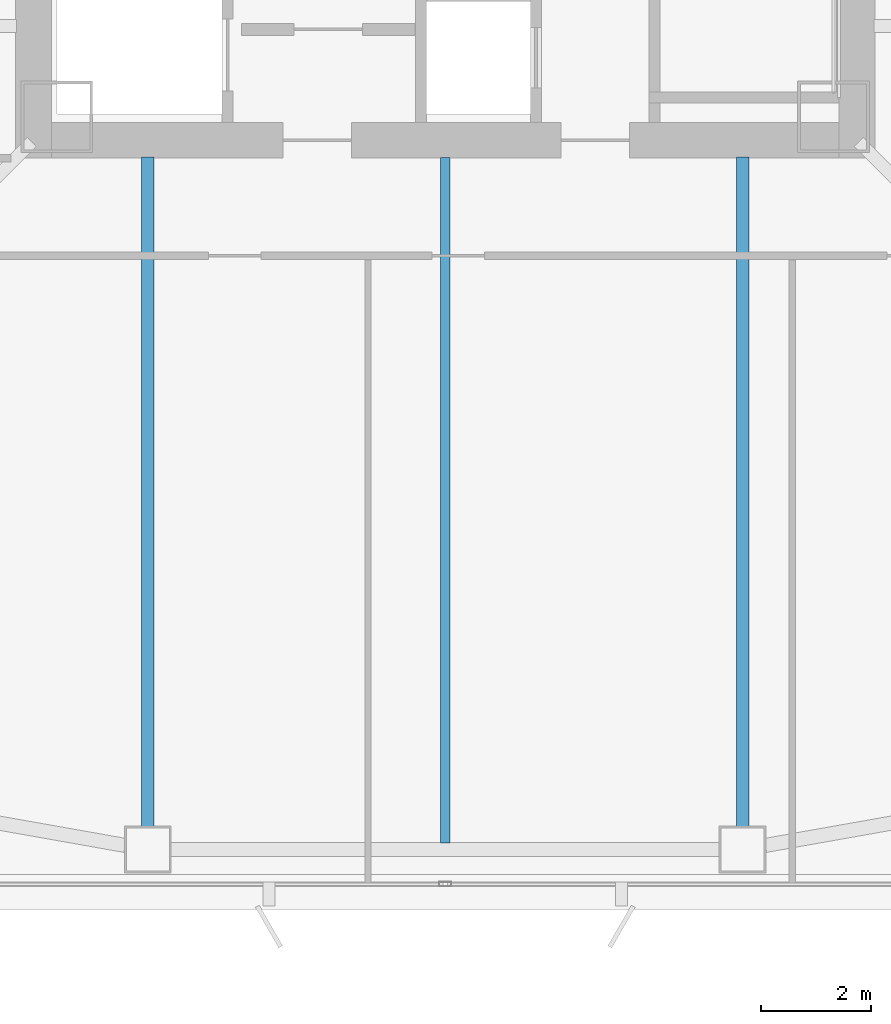
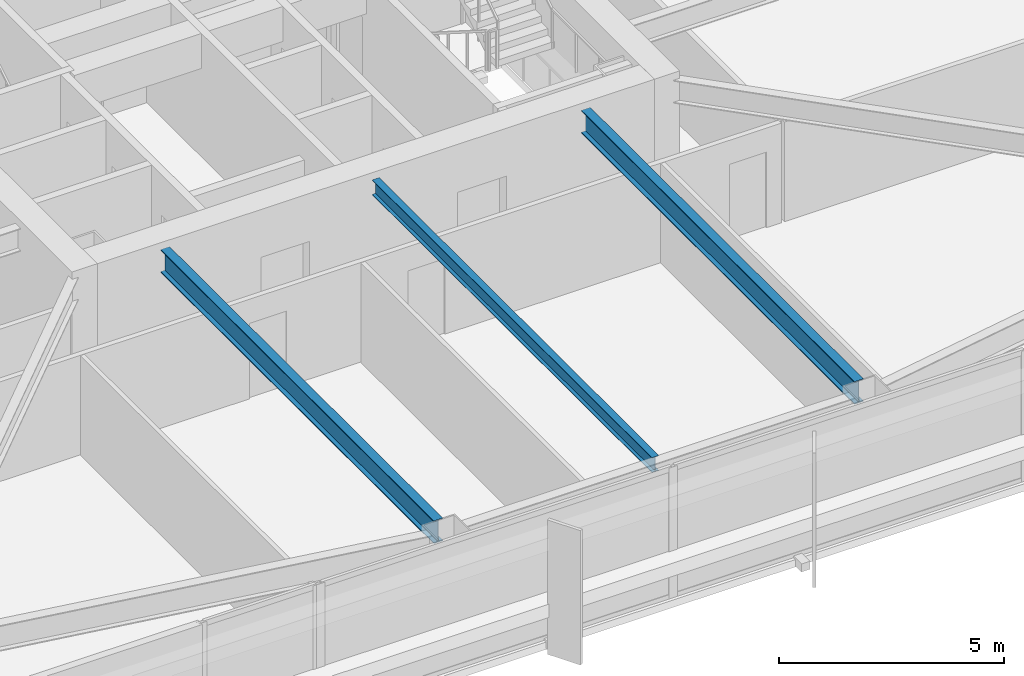
# One storey, part 6 of 49: 3 beams.
"""IFC4 building model written with IfcOpenShell, lengths in metres."""

from ifc_helpers import new_model, si_unit, direction, frame, origin, origin_2d, place, context, subcontext, project, spatial, i_section, extrude, material, material_profile, profile_set, type_object, element, save


model = new_model("IFC4")

# Units and contexts
model_context = context("Model", 3, precision=1e-05, world=origin(), true_north=direction((0.0, 1.0)))
body_context = subcontext(model_context, "Body", "Model", "MODEL_VIEW")
ifc_project = project(units=[si_unit("LENGTHUNIT", "METRE"), si_unit("AREAUNIT", "SQUARE_METRE"), si_unit("VOLUMEUNIT", "CUBIC_METRE"), si_unit("PLANEANGLEUNIT", "RADIAN"), si_unit("MASSUNIT", "GRAM", prefix="KILO")], contexts=[model_context])

# Site, building, storey
site_placement = place(None, origin())
site = spatial("IfcSite", under=ifc_project, at=site_placement, CompositionType="ELEMENT")
building_placement = place(site_placement, origin())
building = spatial("IfcBuilding", under=site, at=building_placement, Name="Tashvorn Skyway Center", CompositionType="ELEMENT")
storey_placement = place(building_placement, frame((0.0, 0.0, 70.75)))
storey = spatial("IfcBuildingStorey", under=building, at=storey_placement, Name="L18", CompositionType="ELEMENT", Elevation=70.75)

# Beams
ifc_material = material(Name="Steel ASTM A992 Grade 50", Category="steel")
ifc_material_profile_1 = material_profile(ifc_material, i_section(OverallWidth=0.22998046875, OverallDepth=0.616943359375, WebThickness=0.01318359375, FlangeThickness=0.022216796875, at=origin_2d()), Name="W24X94")
ifc_profile_set_1 = profile_set([ifc_material_profile_1], Name="Steel ASTM A992 Grade 50")
beam_type_1 = type_object("IfcBeamType", Name="BM-BEAM-W24X94", PredefinedType="BEAM", material=ifc_profile_set_1)
for number, where, z_axis, x_axis, name in (
    (1, (36.60009765625, 12.070068359375, 3.04150390625), (0.0, 1.0, 0.0), (-1.0, 0.0, 0.0), "Tower 1 L18 Primary Floor Girder FC-S1"),
    (2, (47.39990234375, 12.070068359375, 3.04150390625), (0.0, 1.0, 0.0), (-1.0, 0.0, 0.0), "Tower 1 L18 Primary Floor Girder FC-S2"),
):
    element("IfcBeam", number, at=place(storey_placement, frame(where, z_axis=z_axis, x_axis=x_axis)), inside=storey, type_object=beam_type_1, Name=name, PredefinedType="BEAM", context=body_context, shape_type="SweptSolid", body=[
        extrude(i_section(OverallWidth=0.22998046875, OverallDepth=0.616943359375, WebThickness=0.01318359375, FlangeThickness=0.022216796875, at=origin_2d()), origin(), (0.0, 0.0, 1.0), 12.14990234375),
    ])
ifc_material_profile_2 = material_profile(ifc_material, i_section(OverallWidth=0.177978515625, OverallDepth=0.406005859375, WebThickness=0.0078125, FlangeThickness=0.0126953125, at=origin_2d()), Name="W16X40")
ifc_profile_set_2 = profile_set([ifc_material_profile_2], Name="Steel ASTM A992 Grade 50")
beam_type_2 = type_object("IfcBeamType", Name="BM-JOIST-W16X40", PredefinedType="JOIST", material=ifc_profile_set_2)
beam_placement = place(storey_placement, frame((42.0, 24.2099609375, 3.14697265625), z_axis=(0.0, -1.0, 0.0), x_axis=(1.0, 0.0, 0.0)))
element("IfcBeam", 3, at=beam_placement, inside=storey, type_object=beam_type_2, Name="Tower 1 L18 Secondary Composite Joist JS", PredefinedType="JOIST", context=body_context, shape_type="SweptSolid", body=[
    extrude(i_section(OverallWidth=0.177978515625, OverallDepth=0.406005859375, WebThickness=0.0078125, FlangeThickness=0.0126953125, at=origin_2d()), origin(), (0.0, 0.0, 1.0), 12.43994140625),
])

save(model, "model.ifc")
